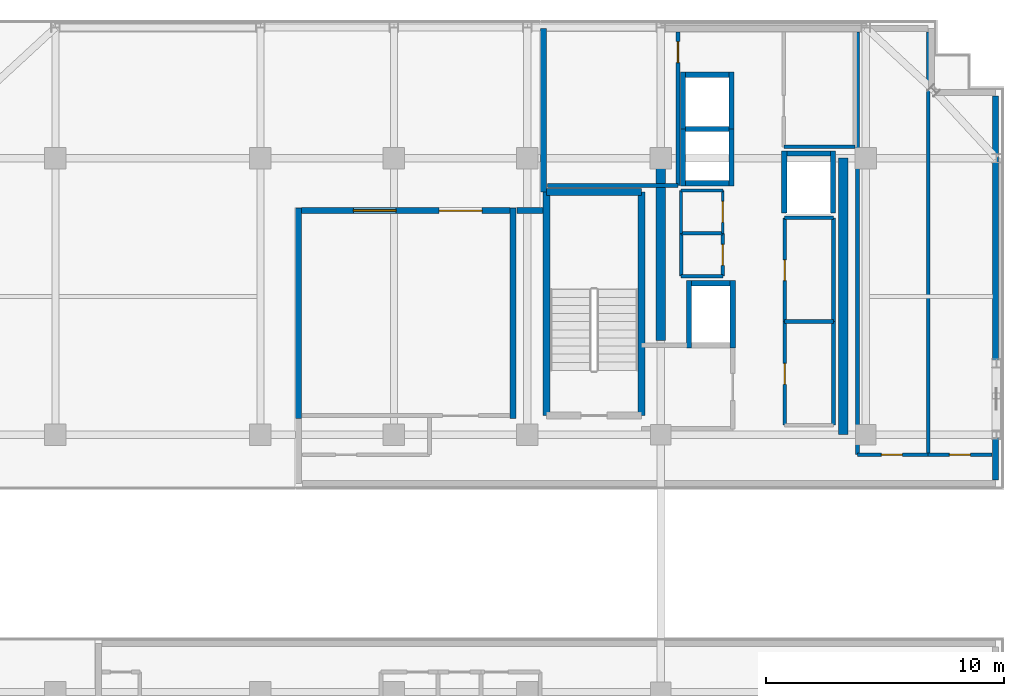
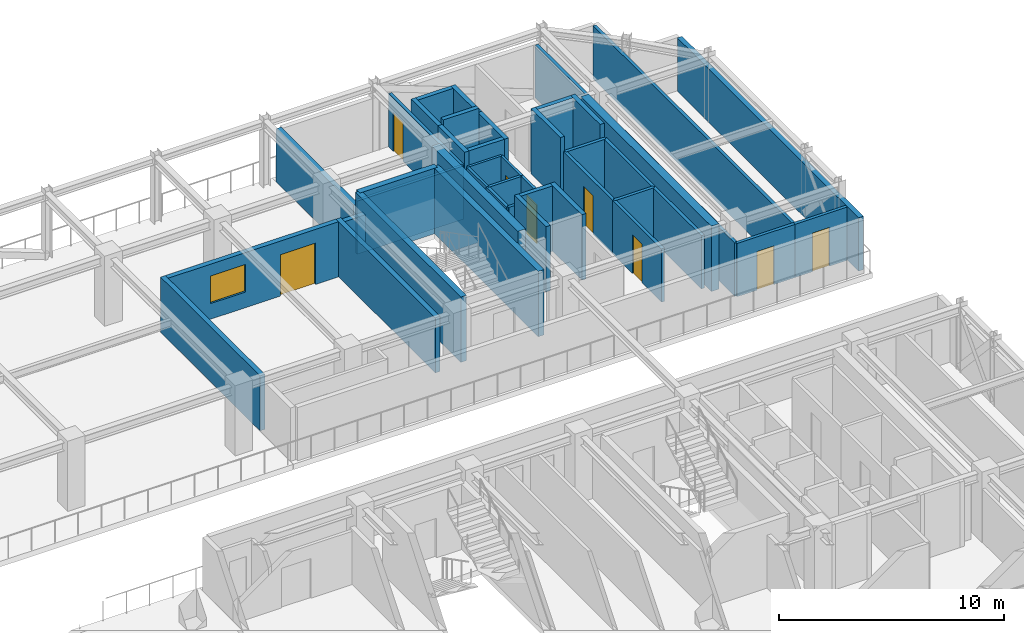
# One storey, part 7 of 14: 44 walls, 8 doors, 1 window, 9 openings.
"""IFC4 building model written with IfcOpenShell, lengths in metres."""

from ifc_helpers import new_model, si_unit, direction, frame, frame_2d, origin, place, context, subcontext, project, spatial, rectangle, extrude, source, transform, mapped, material, layer, layer_set, type_object, element, fill, save


model = new_model("IFC4")

# Units and contexts
model_context = context("Model", 3, precision=1e-05, world=origin(), true_north=direction((0.0, 1.0)))
body_context = subcontext(model_context, "Body", "Model", "MODEL_VIEW")
ifc_project = project(units=[si_unit("LENGTHUNIT", "METRE"), si_unit("AREAUNIT", "SQUARE_METRE"), si_unit("VOLUMEUNIT", "CUBIC_METRE"), si_unit("PLANEANGLEUNIT", "RADIAN"), si_unit("MASSUNIT", "GRAM", prefix="KILO")], contexts=[model_context])

# Site, building, storey
site_placement = place(None, origin())
site = spatial("IfcSite", under=ifc_project, at=site_placement, CompositionType="ELEMENT")
building_placement = place(site_placement, origin())
building = spatial("IfcBuilding", under=site, at=building_placement, Name="Nahalor Promenade Grand Hotel", CompositionType="ELEMENT")
storey_placement = place(building_placement, frame((0.0, 0.0, 300.35009765625)))
storey = spatial("IfcBuildingStorey", under=building, at=storey_placement, Name="L77", CompositionType="ELEMENT", Elevation=300.35009765625)

# Walls
ifc_material_1 = material(Name="Concrete B-50 (C40/50)", Category="concrete")
ifc_layer_1 = layer(ifc_material_1, 0.39990234375)
ifc_layer_set_1 = layer_set([ifc_layer_1], Name="Concrete B-50 (C40/50)")
wall_type_1 = type_object("IfcWallType", Name="Wall-CoreShear-400", PredefinedType="SHEAR", material=ifc_layer_set_1)
shared_shape_1 = source(origin(), body_context, "Body", "SweptSolid", [
    extrude(rectangle(XDim=7.64990234375, YDim=0.39990234375, at=frame_2d((3.824951171875, 0.0))), origin(), (0.0, 0.0, 1.0), 3.5498046875),
])
wall_1_placement = place(storey_placement, frame((8.39990234375, 9.35009765625, 0.0), z_axis=(0.0, 0.0, 1.0), x_axis=(0.0, 1.0, 0.0)))
element("IfcWall", 1, at=wall_1_placement, inside=storey, type_object=wall_type_1, Name="CWALL-L77-NW", PredefinedType="SHEAR", context=body_context, shape_type="MappedRepresentation", body=[
    mapped(shared_shape_1, transform((0.0, 0.0, 0.0), scale=1.0)),
])
shared_shape_2 = source(origin(), body_context, "Body", "SweptSolid", [
    extrude(rectangle(XDim=11.60009765625, YDim=0.39990234375, at=frame_2d((5.800048828125, 0.0))), origin(), (0.0, 0.0, 1.0), 3.5498046875),
])
wall_2_placement = place(storey_placement, frame((16.050048828125, 5.39990234375, 0.0), z_axis=(0.0, 0.0, 1.0), x_axis=(0.0, 1.0, 0.0)))
element("IfcWall", 2, at=wall_2_placement, inside=storey, type_object=wall_type_1, Name="CWALL-L77-NE", PredefinedType="SHEAR", context=body_context, shape_type="MappedRepresentation", body=[
    mapped(shared_shape_2, transform((0.0, 0.0, 0.0), scale=1.0)),
])
ifc_layer_2 = layer(ifc_material_1, 0.300048828125)
ifc_layer_set_2 = layer_set([ifc_layer_2], Name="Concrete B-50 (C40/50)")
wall_type_2 = type_object("IfcWallType", Name="Wall-ShaftShear-300", PredefinedType="SHEAR", material=ifc_layer_set_2)
shared_shape_3 = source(origin(), body_context, "Body", "SweptSolid", [
    extrude(rectangle(XDim=3.97998046875, YDim=0.300048828125, at=frame_2d((1.989990234375, 0.0))), origin(), (0.0, 0.0, 1.0), 3.5498046875),
])
wall_3_placement = place(storey_placement, frame((3.610107421875, 15.590087890625, 0.0), z_axis=(0.0, 0.0, 1.0), x_axis=(1.0, 0.0, 0.0)))
element("IfcWall", 3, at=wall_3_placement, inside=storey, type_object=wall_type_2, Name="L77 Exit Stair ST1 Shaft Wall N", PredefinedType="SHEAR", context=body_context, shape_type="MappedRepresentation", body=[
    mapped(shared_shape_3, transform((0.0, 0.0, 0.0), scale=1.0)),
])
shared_shape_4 = source(origin(), body_context, "Body", "SweptSolid", [
    extrude(rectangle(XDim=9.380126953125, YDim=0.300048828125, at=frame_2d((4.68994140625, 0.0))), origin(), (0.0, 0.0, 1.0), 3.5498046875),
])
for number, where, z_axis, x_axis, name in (
    (4, (3.610107421875, 6.2099609375, 0.0), (0.0, 0.0, 1.0), (0.0, 1.0, 0.0), "L77 Exit Stair ST1 Shaft Wall W"),
    (5, (7.590087890625, 6.2099609375, 0.0), (0.0, 0.0, 1.0), (0.0, 1.0, 0.0), "L77 Exit Stair ST1 Shaft Wall E"),
):
    element("IfcWall", number, at=place(storey_placement, frame(where, z_axis=z_axis, x_axis=x_axis)), inside=storey, type_object=wall_type_2, Name=name, PredefinedType="SHEAR", context=body_context, shape_type="MappedRepresentation", body=[
        mapped(shared_shape_4, transform((0.0, 0.0, 0.0), scale=1.0)),
    ])
ifc_layer_3 = layer(ifc_material_1, 0.219970703125)
ifc_layer_set_3 = layer_set([ifc_layer_3], Name="Concrete B-50 (C40/50)")
wall_type_3 = type_object("IfcWallType", Name="Wall-LiftShaft-220", PredefinedType="SHEAR", material=ifc_layer_set_3)
shared_shape_5 = source(origin(), body_context, "Body", "SweptSolid", [
    extrude(rectangle(XDim=1.820068359375, YDim=0.219970703125, at=frame_2d((0.91015625, 0.0))), origin(), (0.0, 0.0, 1.0), 3.5498046875),
])
for number, where, z_axis, x_axis, name in (
    (6, (9.43994140625, 15.949951171875, 0.0), (0.0, 0.0, 1.0), (1.0, 0.0, 0.0), "L77 Lift OB1 Hoistway Wall S"),
    (7, (9.43994140625, 20.5, 0.0), (0.0, 0.0, 1.0), (1.0, 0.0, 0.0), "L77 Lift OB2 Hoistway Wall N"),
    (8, (13.68994140625, 17.199951171875, 0.0), (0.0, 0.0, 1.0), (1.0, 0.0, 0.0), "L77 Lift SV1 Hoistway Wall N"),
):
    element("IfcWall", number, at=place(storey_placement, frame(where, z_axis=z_axis, x_axis=x_axis)), inside=storey, type_object=wall_type_3, Name=name, PredefinedType="SHEAR", context=body_context, shape_type="MappedRepresentation", body=[
        mapped(shared_shape_5, transform((0.0, 0.0, 0.0), scale=1.0)),
    ])
shared_shape_6 = source(origin(), body_context, "Body", "SweptSolid", [
    extrude(rectangle(XDim=1.820068359375, YDim=0.219970703125, at=frame_2d((0.91015625, 0.0))), origin(), (0.0, 0.0, 1.0), 3.849853515625),
])
wall_4_placement = place(storey_placement, frame((9.43994140625, 18.22509765625, 0.0), z_axis=(0.0, 0.0, 1.0), x_axis=(1.0, 0.0, 0.0)))
element("IfcWall", 9, at=wall_4_placement, inside=storey, type_object=wall_type_3, Name="L77 Lift OB1 Hoistway Wall N", PredefinedType="SHEAR", context=body_context, shape_type="MappedRepresentation", body=[
    mapped(shared_shape_6, transform((0.0, 0.0, 0.0), scale=1.0)),
])
shared_shape_7 = source(origin(), body_context, "Body", "SweptSolid", [
    extrude(rectangle(XDim=2.385009765625, YDim=0.219970703125, at=frame_2d((1.1923828125, 0.0))), origin(), (0.0, 0.0, 1.0), 3.5498046875),
])
for number, where, z_axis, x_axis, name in (
    (10, (9.330078125, 15.840087890625, 0.0), (0.0, 0.0, 1.0), (0.0, 1.0, 0.0), "L77 Lift OB1 Hoistway Wall W"),
    (11, (11.3701171875, 15.840087890625, 0.0), (0.0, 0.0, 1.0), (0.0, 1.0, 0.0), "L77 Lift OB1 Hoistway Wall E"),
    (12, (9.330078125, 18.22509765625, 0.0), (0.0, 0.0, 1.0), (0.0, 1.0, 0.0), "L77 Lift OB2 Hoistway Wall W"),
    (13, (11.3701171875, 18.22509765625, 0.0), (0.0, 0.0, 1.0), (0.0, 1.0, 0.0), "L77 Lift OB2 Hoistway Wall E"),
):
    element("IfcWall", number, at=place(storey_placement, frame(where, z_axis=z_axis, x_axis=x_axis)), inside=storey, type_object=wall_type_3, Name=name, PredefinedType="SHEAR", context=body_context, shape_type="MappedRepresentation", body=[
        mapped(shared_shape_7, transform((0.0, 0.0, 0.0), scale=1.0)),
    ])
shared_shape_8 = source(origin(), body_context, "Body", "SweptSolid", [
    extrude(rectangle(XDim=2.820068359375, YDim=0.219970703125, at=frame_2d((1.41015625, 0.0))), origin(), (0.0, 0.0, 1.0), 3.5498046875),
])
for number, where, z_axis, x_axis, name in (
    (14, (9.580078125, 9.0400390625, 0.0), (0.0, 0.0, 1.0), (0.0, 1.0, 0.0), "L77 Lift FL1 Hoistway Wall W"),
    (15, (11.419921875, 9.0400390625, 0.0), (0.0, 0.0, 1.0), (0.0, 1.0, 0.0), "L77 Lift FL1 Hoistway Wall E"),
):
    element("IfcWall", number, at=place(storey_placement, frame(where, z_axis=z_axis, x_axis=x_axis)), inside=storey, type_object=wall_type_3, Name=name, PredefinedType="SHEAR", context=body_context, shape_type="MappedRepresentation", body=[
        mapped(shared_shape_8, transform((0.0, 0.0, 0.0), scale=1.0)),
    ])
shared_shape_9 = source(origin(), body_context, "Body", "SweptSolid", [
    extrude(rectangle(XDim=1.6201171875, YDim=0.219970703125, at=frame_2d((0.81005859375, 0.0))), origin(), (0.0, 0.0, 1.0), 3.5498046875),
])
wall_5_placement = place(storey_placement, frame((9.68994140625, 11.75, 0.0), z_axis=(0.0, 0.0, 1.0), x_axis=(1.0, 0.0, 0.0)))
element("IfcWall", 16, at=wall_5_placement, inside=storey, type_object=wall_type_3, Name="L77 Lift FL1 Hoistway Wall N", PredefinedType="SHEAR", context=body_context, shape_type="MappedRepresentation", body=[
    mapped(shared_shape_9, transform((0.0, 0.0, 0.0), scale=1.0)),
])
shared_shape_10 = source(origin(), body_context, "Body", "SweptSolid", [
    extrude(rectangle(XDim=2.610107421875, YDim=0.219970703125, at=frame_2d((1.30517578125, 0.0))), origin(), (0.0, 0.0, 1.0), 3.5498046875),
])
for number, where, z_axis, x_axis, name in (
    (17, (13.580078125, 14.699951171875, 0.0), (0.0, 0.0, 1.0), (0.0, 1.0, 0.0), "L77 Lift SV1 Hoistway Wall W"),
    (18, (15.6201171875, 14.699951171875, 0.0), (0.0, 0.0, 1.0), (0.0, 1.0, 0.0), "L77 Lift SV1 Hoistway Wall E"),
):
    element("IfcWall", number, at=place(storey_placement, frame(where, z_axis=z_axis, x_axis=x_axis)), inside=storey, type_object=wall_type_3, Name=name, PredefinedType="SHEAR", context=body_context, shape_type="MappedRepresentation", body=[
        mapped(shared_shape_10, transform((0.0, 0.0, 0.0), scale=1.0)),
    ])
ifc_material_2 = material(Name="Concrete B-40 (C32/40)", Category="concrete")
ifc_layer_4 = layer(ifc_material_2, 0.25)
ifc_layer_set_4 = layer_set([ifc_layer_4], Name="Concrete B-40 (C32/40)")
wall_type_4 = type_object("IfcWallType", Name="Wall-BronzePier-250", PredefinedType="STANDARD", material=ifc_layer_set_4)
shared_shape_11 = source(origin(), body_context, "Body", "SweptSolid", [
    extrude(rectangle(XDim=8.83984375, YDim=0.25, at=frame_2d((4.419921875, 0.0))), origin(), (0.0, 0.0, 1.0), 2.989990234375),
])
for number, where, z_axis, x_axis, name in (
    (19, (-6.800048828125, 6.080078125, 0.0), (0.0, 0.0, 1.0), (0.0, 1.0, 0.0), "W-L77-WPGAL-N-W"),
    (20, (2.199951171875, 6.080078125, 0.0), (0.0, 0.0, 1.0), (0.0, 1.0, 0.0), "W-L77-WPGAL-N-E"),
):
    element("IfcWall", number, at=place(storey_placement, frame(where, z_axis=z_axis, x_axis=x_axis)), inside=storey, type_object=wall_type_4, Name=name, PredefinedType="STANDARD", context=body_context, shape_type="MappedRepresentation", body=[
        mapped(shared_shape_11, transform((0.0, 0.0, 0.0), scale=1.0)),
    ])

# Wall, openings, door, window
shared_shape_12 = source(origin(), body_context, "Body", "SweptSolid", [
    extrude(rectangle(XDim=8.760009765625, YDim=0.25, at=frame_2d((4.3798828125, 0.0))), origin(), (0.0, 0.0, 1.0), 2.989990234375),
])
wall_6_placement = place(storey_placement, frame((-6.679931640625, 14.800048828125, 0.0), z_axis=(0.0, 0.0, 1.0), x_axis=(1.0, 0.0, 0.0)))
wall_6 = element("IfcWall", 21, at=wall_6_placement, inside=storey, type_object=wall_type_4, Name="W-L77-WPGAL-N-N", PredefinedType="STANDARD", context=body_context, shape_type="MappedRepresentation", body=[
    mapped(shared_shape_12, transform((0.0, 0.0, 0.0), scale=1.0)),
])
opening_1_placement = place(wall_6_placement, frame((5.780029296875, 0.0, 0.0)))
opening_1 = element("IfcOpeningElement", 22, at=opening_1_placement, cuts=wall_6, Name="Opening D-BC1", PredefinedType="OPENING", context=body_context, shape_type="SweptSolid", body=[
    extrude(rectangle(XDim=1.800048828125, YDim=2.25, at=frame_2d((0.89990234375, 1.125))), frame((0.0, 0.135009765625, 0.0), z_axis=(0.0, -1.0, 0.0), x_axis=(1.0, 0.0, 0.0)), (0.0, 0.0, 1.0), 0.27001953125),
])
opening_2_placement = place(wall_6_placement, frame((2.179931640625, 0.0, 0.85009765625)))
opening_2 = element("IfcOpeningElement", 23, at=opening_2_placement, cuts=wall_6, Name="Opening WN-01", PredefinedType="OPENING", context=body_context, shape_type="SweptSolid", body=[
    extrude(rectangle(XDim=1.800048828125, YDim=1.5, at=frame_2d((0.89990234375, 0.75))), frame((0.0, 0.135009765625, 0.0), z_axis=(0.0, -1.0, 0.0), x_axis=(1.0, 0.0, 0.0)), (0.0, 0.0, 1.0), 0.27001953125),
])
ifc_material_3 = material(Name="Anodised Bronze Aluminium EN AW-6063 T6", Category="aluminium")
door_type_1 = type_object("IfcDoorType", Name="Door-BalconySlide-1800", OperationType="DOUBLE_DOOR_SLIDING", PredefinedType="DOOR", material=ifc_material_3)
shared_shape_13 = source(origin(), body_context, "Body", "SweptSolid", [
    extrude(rectangle(XDim=1.800048828125, YDim=2.25, at=frame_2d((0.89990234375, 1.125))), frame((0.0, 0.02490234375, 0.0), z_axis=(0.0, -1.0, 0.0), x_axis=(1.0, 0.0, 0.0)), (0.0, 0.0, 1.0), 0.050048828125),
])
door_1_placement = place(opening_1_placement, origin())
door_1 = element("IfcDoor", 24, at=door_1_placement, inside=storey, type_object=door_type_1, Name="DR-L77-WP-N", OperationType="DOUBLE_DOOR_SLIDING", OverallHeight=2.25, OverallWidth=1.800048828125, PredefinedType="DOOR", context=body_context, shape_type="MappedRepresentation", body=[
    mapped(shared_shape_13, transform((0.0, 0.0, 0.0), scale=1.0)),
])
fill(opening_1, door_1)
ifc_material_4 = material(Name="Low-E Laminated Solar Glass", Category="glass")
window_type = type_object("IfcWindowType", Name="Win-ChicagoBay-1800x1500", PartitioningType="SINGLE_PANEL", PredefinedType="WINDOW", material=ifc_material_4)
shared_shape_14 = source(origin(), body_context, "Body", "SweptSolid", [
    extrude(rectangle(XDim=1.800048828125, YDim=1.5, at=frame_2d((0.89990234375, 0.75))), frame((0.0, 0.030029296875, 0.0), z_axis=(0.0, -1.0, 0.0), x_axis=(1.0, 0.0, 0.0)), (0.0, 0.0, 1.0), 0.06005859375),
])
window_placement = place(opening_2_placement, origin())
window = element("IfcWindow", 25, at=window_placement, inside=storey, type_object=window_type, Name="WN-L77-WP-N", OverallHeight=1.5, OverallWidth=1.800048828125, PartitioningType="SINGLE_PANEL", PredefinedType="WINDOW", context=body_context, shape_type="MappedRepresentation", body=[
    mapped(shared_shape_14, transform((0.0, 0.0, 0.0), scale=1.0)),
])
fill(opening_2, window)

# Walls
ifc_material_5 = material(Name="Acoustic Mineral Gypsum", Category="gypsum")
ifc_layer_5 = layer(ifc_material_5, 0.14990234375)
ifc_layer_set_5 = layer_set([ifc_layer_5], Name="Acoustic Mineral Gypsum")
wall_type_5 = type_object("IfcWallType", Name="Wall-PartService-150", PredefinedType="PARTITIONING", material=ifc_layer_set_5)
shared_shape_15 = source(origin(), body_context, "Body", "SweptSolid", [
    extrude(rectangle(XDim=1.75, YDim=0.14990234375, at=frame_2d((0.875, 0.0))), origin(), (0.0, 0.0, 1.0), 2.889892578125),
])
for number, where, z_axis, x_axis, name in (
    (26, (9.25, 12.050048828125, 0.0), (0.0, 0.0, 1.0), (1.0, 0.0, 0.0), "W-L77-CK2A-S"),
    (27, (9.25, 13.85009765625, 0.0), (0.0, 0.0, 1.0), (1.0, 0.0, 0.0), "W-L77-CK2A-N"),
):
    element("IfcWall", number, at=place(storey_placement, frame(where, z_axis=z_axis, x_axis=x_axis)), inside=storey, type_object=wall_type_5, Name=name, PredefinedType="PARTITIONING", context=body_context, shape_type="MappedRepresentation", body=[
        mapped(shared_shape_15, transform((0.0, 0.0, 0.0), scale=1.0)),
    ])
shared_shape_16 = source(origin(), body_context, "Body", "SweptSolid", [
    extrude(rectangle(XDim=1.800048828125, YDim=0.14990234375, at=frame_2d((0.89990234375, 0.0))), origin(), (0.0, 0.0, 1.0), 2.889892578125),
])
wall_7_placement = place(storey_placement, frame((9.25, 12.050048828125, 0.0), z_axis=(0.0, 0.0, 1.0), x_axis=(0.0, 1.0, 0.0)))
element("IfcWall", 28, at=wall_7_placement, inside=storey, type_object=wall_type_5, Name="W-L77-CK2A-W", PredefinedType="PARTITIONING", context=body_context, shape_type="MappedRepresentation", body=[
    mapped(shared_shape_16, transform((0.0, 0.0, 0.0), scale=1.0)),
])

# Wall, opening, door
wall_8_placement = place(storey_placement, frame((11.0, 12.050048828125, 0.0), z_axis=(0.0, 0.0, 1.0), x_axis=(0.0, 1.0, 0.0)))
wall_8 = element("IfcWall", 29, at=wall_8_placement, inside=storey, type_object=wall_type_5, Name="W-L77-CK2A-E", PredefinedType="PARTITIONING", context=body_context, shape_type="MappedRepresentation", body=[
    mapped(shared_shape_16, transform((0.0, 0.0, 0.0), scale=1.0)),
])
opening_3_placement = place(wall_8_placement, frame((0.4599609375, 0.0, 0.0)))
opening_3 = element("IfcOpeningElement", 30, at=opening_3_placement, cuts=wall_8, Name="Opening D-03", PredefinedType="OPENING", context=body_context, shape_type="SweptSolid", body=[
    extrude(rectangle(XDim=0.8798828125, YDim=2.10009765625, at=frame_2d((0.43994140625, 1.050048828125))), frame((0.0, 0.0849609375, 0.0), z_axis=(0.0, -1.0, 0.0), x_axis=(1.0, 0.0, 0.0)), (0.0, 0.0, 1.0), 0.169921875),
])
ifc_material_6 = material(Name="Fire-Rated Timber Composite", Category="wood")
door_type_2 = type_object("IfcDoorType", Name="Door-BathSwing-880", OperationType="NOTDEFINED", PredefinedType="DOOR", material=ifc_material_6)
shared_shape_17 = source(origin(), body_context, "Body", "SweptSolid", [
    extrude(rectangle(XDim=0.8798828125, YDim=2.10009765625, at=frame_2d((0.43994140625, 1.050048828125))), frame((0.0, 0.02490234375, 0.0), z_axis=(0.0, -1.0, 0.0), x_axis=(1.0, 0.0, 0.0)), (0.0, 0.0, 1.0), 0.050048828125),
])
door_2_placement = place(opening_3_placement, origin())
door_2 = element("IfcDoor", 31, at=door_2_placement, inside=storey, type_object=door_type_2, Name="DR-L77-CK2A", OperationType="SINGLE_SWING_RIGHT", OverallHeight=2.10009765625, OverallWidth=0.8798828125, PredefinedType="DOOR", context=body_context, shape_type="MappedRepresentation", body=[
    mapped(shared_shape_17, transform((0.0, 0.0, 0.0), scale=1.0)),
])
fill(opening_3, door_2)

# Walls
ifc_layer_6 = layer(ifc_material_5, 0.1201171875)
ifc_layer_set_6 = layer_set([ifc_layer_6], Name="Acoustic Mineral Gypsum")
wall_type_6 = type_object("IfcWallType", Name="Wall-PartBath-120", PredefinedType="PARTITIONING", material=ifc_layer_set_6)
shared_shape_18 = source(origin(), body_context, "Body", "SweptSolid", [
    extrude(rectangle(XDim=1.75, YDim=0.1201171875, at=frame_2d((0.875, 0.0))), origin(), (0.0, 0.0, 1.0), 2.889892578125),
])
wall_9_placement = place(storey_placement, frame((9.25, 15.64990234375, 0.0), z_axis=(0.0, 0.0, 1.0), x_axis=(1.0, 0.0, 0.0)))
element("IfcWall", 32, at=wall_9_placement, inside=storey, type_object=wall_type_6, Name="W-L77-CK2B-N", PredefinedType="PARTITIONING", context=body_context, shape_type="MappedRepresentation", body=[
    mapped(shared_shape_18, transform((0.0, 0.0, 0.0), scale=1.0)),
])
shared_shape_19 = source(origin(), body_context, "Body", "SweptSolid", [
    extrude(rectangle(XDim=1.7998046875, YDim=0.1201171875, at=frame_2d((0.89990234375, 0.0))), origin(), (0.0, 0.0, 1.0), 2.889892578125),
])
wall_10_placement = place(storey_placement, frame((9.25, 13.85009765625, 0.0), z_axis=(0.0, 0.0, 1.0), x_axis=(0.0, 1.0, 0.0)))
element("IfcWall", 33, at=wall_10_placement, inside=storey, type_object=wall_type_6, Name="W-L77-CK2B-W", PredefinedType="PARTITIONING", context=body_context, shape_type="MappedRepresentation", body=[
    mapped(shared_shape_19, transform((0.0, 0.0, 0.0), scale=1.0)),
])

# Wall, opening, door
wall_11_placement = place(storey_placement, frame((11.0, 13.85009765625, 0.0), z_axis=(0.0, 0.0, 1.0), x_axis=(0.0, 1.0, 0.0)))
wall_11 = element("IfcWall", 34, at=wall_11_placement, inside=storey, type_object=wall_type_6, Name="W-L77-CK2B-E", PredefinedType="PARTITIONING", context=body_context, shape_type="MappedRepresentation", body=[
    mapped(shared_shape_19, transform((0.0, 0.0, 0.0), scale=1.0)),
])
opening_4_placement = place(wall_11_placement, frame((0.4599609375, 0.0, 0.0)))
opening_4 = element("IfcOpeningElement", 35, at=opening_4_placement, cuts=wall_11, Name="Opening D-03", PredefinedType="OPENING", context=body_context, shape_type="SweptSolid", body=[
    extrude(rectangle(XDim=0.8798828125, YDim=2.10009765625, at=frame_2d((0.43994140625, 1.050048828125))), frame((0.0, 0.070068359375, 0.0), z_axis=(0.0, -1.0, 0.0), x_axis=(1.0, 0.0, 0.0)), (0.0, 0.0, 1.0), 0.14013671875),
])
door_3_placement = place(opening_4_placement, origin())
door_3 = element("IfcDoor", 36, at=door_3_placement, inside=storey, type_object=door_type_2, Name="DR-L77-CK2B", OperationType="SINGLE_SWING_LEFT", OverallHeight=2.10009765625, OverallWidth=0.8798828125, PredefinedType="DOOR", context=body_context, shape_type="MappedRepresentation", body=[
    mapped(shared_shape_17, transform((0.0, 0.0, 0.0), scale=1.0)),
])
fill(opening_4, door_3)

# Walls
ifc_layer_7 = layer(ifc_material_5, 0.159912109375)
ifc_layer_set_7 = layer_set([ifc_layer_7], Name="Acoustic Mineral Gypsum")
wall_type_7 = type_object("IfcWallType", Name="Wall-PartCorridor-160", PredefinedType="PARTITIONING", material=ifc_layer_set_7)
shared_shape_20 = source(origin(), body_context, "Body", "SweptSolid", [
    extrude(rectangle(XDim=2.0498046875, YDim=0.159912109375, at=frame_2d((1.02490234375, 0.0))), origin(), (0.0, 0.0, 1.0), 2.889892578125),
])
for number, where, z_axis, x_axis, name in (
    (37, (13.60009765625, 10.14990234375, 0.0), (0.0, 0.0, 1.0), (1.0, 0.0, 0.0), "W-L77-FRB1A-N"),
    (38, (13.60009765625, 14.5, 0.0), (0.0, 0.0, 1.0), (1.0, 0.0, 0.0), "W-L77-FRB1B-N"),
):
    element("IfcWall", number, at=place(storey_placement, frame(where, z_axis=z_axis, x_axis=x_axis)), inside=storey, type_object=wall_type_7, Name=name, PredefinedType="PARTITIONING", context=body_context, shape_type="MappedRepresentation", body=[
        mapped(shared_shape_20, transform((0.0, 0.0, 0.0), scale=1.0)),
    ])

# Wall, opening, door
shared_shape_21 = source(origin(), body_context, "Body", "SweptSolid", [
    extrude(rectangle(XDim=4.349853515625, YDim=0.159912109375, at=frame_2d((2.1748046875, 0.0))), origin(), (0.0, 0.0, 1.0), 2.889892578125),
])
wall_12_placement = place(storey_placement, frame((13.60009765625, 5.800048828125, 0.0), z_axis=(0.0, 0.0, 1.0), x_axis=(0.0, 1.0, 0.0)))
wall_12 = element("IfcWall", 39, at=wall_12_placement, inside=storey, type_object=wall_type_7, Name="W-L77-FRB1A-W", PredefinedType="PARTITIONING", context=body_context, shape_type="MappedRepresentation", body=[
    mapped(shared_shape_21, transform((0.0, 0.0, 0.0), scale=1.0)),
])
opening_5_placement = place(wall_12_placement, frame((1.7099609375, 0.0, 0.0)))
opening_5 = element("IfcOpeningElement", 40, at=opening_5_placement, cuts=wall_12, Name="Opening D-03", PredefinedType="OPENING", context=body_context, shape_type="SweptSolid", body=[
    extrude(rectangle(XDim=0.8798828125, YDim=2.10009765625, at=frame_2d((0.43994140625, 1.050048828125))), frame((0.0, 0.08984375, 0.0), z_axis=(0.0, -1.0, 0.0), x_axis=(1.0, 0.0, 0.0)), (0.0, 0.0, 1.0), 0.179931640625),
])
door_4_placement = place(opening_5_placement, frame((0.8798828125, 0.0, 0.0), z_axis=(0.0, 0.0, 1.0), x_axis=(-1.0, 0.0, 0.0)))
door_4 = element("IfcDoor", 41, at=door_4_placement, inside=storey, type_object=door_type_2, Name="DR-L77-FRB1A", OperationType="SINGLE_SWING_RIGHT", OverallHeight=2.10009765625, OverallWidth=0.8798828125, PredefinedType="DOOR", context=body_context, shape_type="MappedRepresentation", body=[
    mapped(shared_shape_17, transform((0.0, 0.0, 0.0), scale=1.0)),
])
fill(opening_5, door_4)

# Wall
wall_13_placement = place(storey_placement, frame((15.64990234375, 5.800048828125, 0.0), z_axis=(0.0, 0.0, 1.0), x_axis=(0.0, 1.0, 0.0)))
element("IfcWall", 42, at=wall_13_placement, inside=storey, type_object=wall_type_7, Name="W-L77-FRB1A-E", PredefinedType="PARTITIONING", context=body_context, shape_type="MappedRepresentation", body=[
    mapped(shared_shape_21, transform((0.0, 0.0, 0.0), scale=1.0)),
])

# Wall, opening, door
shared_shape_22 = source(origin(), body_context, "Body", "SweptSolid", [
    extrude(rectangle(XDim=4.35009765625, YDim=0.159912109375, at=frame_2d((2.175048828125, 0.0))), origin(), (0.0, 0.0, 1.0), 2.889892578125),
])
wall_14_placement = place(storey_placement, frame((13.60009765625, 10.14990234375, 0.0), z_axis=(0.0, 0.0, 1.0), x_axis=(0.0, 1.0, 0.0)))
wall_14 = element("IfcWall", 43, at=wall_14_placement, inside=storey, type_object=wall_type_7, Name="W-L77-FRB1B-W", PredefinedType="PARTITIONING", context=body_context, shape_type="MappedRepresentation", body=[
    mapped(shared_shape_22, transform((0.0, 0.0, 0.0), scale=1.0)),
])
opening_6_placement = place(wall_14_placement, frame((1.7099609375, 0.0, 0.0)))
opening_6 = element("IfcOpeningElement", 44, at=opening_6_placement, cuts=wall_14, Name="Opening D-03", PredefinedType="OPENING", context=body_context, shape_type="SweptSolid", body=[
    extrude(rectangle(XDim=0.8798828125, YDim=2.10009765625, at=frame_2d((0.43994140625, 1.050048828125))), frame((0.0, 0.08984375, 0.0), z_axis=(0.0, -1.0, 0.0), x_axis=(1.0, 0.0, 0.0)), (0.0, 0.0, 1.0), 0.179931640625),
])
door_5_placement = place(opening_6_placement, frame((0.8798828125, 0.0, 0.0), z_axis=(0.0, 0.0, 1.0), x_axis=(-1.0, 0.0, 0.0)))
door_5 = element("IfcDoor", 45, at=door_5_placement, inside=storey, type_object=door_type_2, Name="DR-L77-FRB1B", OperationType="SINGLE_SWING_LEFT", OverallHeight=2.10009765625, OverallWidth=0.8798828125, PredefinedType="DOOR", context=body_context, shape_type="MappedRepresentation", body=[
    mapped(shared_shape_17, transform((0.0, 0.0, 0.0), scale=1.0)),
])
fill(opening_6, door_5)

# Walls
wall_15_placement = place(storey_placement, frame((15.64990234375, 10.14990234375, 0.0), z_axis=(0.0, 0.0, 1.0), x_axis=(0.0, 1.0, 0.0)))
element("IfcWall", 46, at=wall_15_placement, inside=storey, type_object=wall_type_7, Name="W-L77-FRB1B-E", PredefinedType="PARTITIONING", context=body_context, shape_type="MappedRepresentation", body=[
    mapped(shared_shape_22, transform((0.0, 0.0, 0.0), scale=1.0)),
])
shared_shape_23 = source(origin(), body_context, "Body", "SweptSolid", [
    extrude(rectangle(XDim=1.08984375, YDim=0.25, at=frame_2d((0.544921875, 0.0))), origin(), (0.0, 0.0, 1.0), 2.889892578125),
])
wall_16_placement = place(storey_placement, frame((2.360107421875, 14.800048828125, 0.0), z_axis=(0.0, 0.0, 1.0), x_axis=(1.0, 0.0, 0.0)))
element("IfcWall", 47, at=wall_16_placement, inside=storey, type_object=wall_type_4, Name="W-L77-WPENV-NM1", PredefinedType="STANDARD", context=body_context, shape_type="MappedRepresentation", body=[
    mapped(shared_shape_23, transform((0.0, 0.0, 0.0), scale=1.0)),
])
shared_shape_24 = source(origin(), body_context, "Body", "SweptSolid", [
    extrude(rectangle(XDim=6.85986328125, YDim=0.25, at=frame_2d((3.429931640625, 0.0))), origin(), (0.0, 0.0, 1.0), 2.889892578125),
])
wall_17_placement = place(storey_placement, frame((3.47998046875, 15.580078125, 0.0), z_axis=(0.0, 0.0, 1.0), x_axis=(0.0, 1.0, 0.0)))
element("IfcWall", 48, at=wall_17_placement, inside=storey, type_object=wall_type_4, Name="W-L77-WPENV-NM2", PredefinedType="STANDARD", context=body_context, shape_type="MappedRepresentation", body=[
    mapped(shared_shape_24, transform((0.0, 0.0, 0.0), scale=1.0)),
])
shared_shape_25 = source(origin(), body_context, "Body", "SweptSolid", [
    extrude(rectangle(XDim=16.1201171875, YDim=0.25, at=frame_2d((8.06005859375, 0.0))), origin(), (0.0, 0.0, 1.0), 2.889892578125),
])
wall_18_placement = place(storey_placement, frame((22.43994140625, 3.5, 0.0), z_axis=(0.0, 0.0, 1.0), x_axis=(0.0, 1.0, 0.0)))
element("IfcWall", 49, at=wall_18_placement, inside=storey, type_object=wall_type_4, Name="W-L77-WPENV-NE", PredefinedType="STANDARD", context=body_context, shape_type="MappedRepresentation", body=[
    mapped(shared_shape_25, transform((0.0, 0.0, 0.0), scale=1.0)),
])
shared_shape_26 = source(origin(), body_context, "Body", "SweptSolid", [
    extrude(rectangle(XDim=5.47021484375, YDim=0.159912109375, at=frame_2d((2.735107421875, 0.0))), origin(), (0.0, 0.0, 1.0), 2.889892578125),
])
wall_19_placement = place(storey_placement, frame((3.64990234375, 15.85009765625, 0.0), z_axis=(0.0, 0.0, 1.0), x_axis=(1.0, 0.0, 0.0)))
element("IfcWall", 50, at=wall_19_placement, inside=storey, type_object=wall_type_7, Name="W-L77-WPNT1-S", PredefinedType="PARTITIONING", context=body_context, shape_type="MappedRepresentation", body=[
    mapped(shared_shape_26, transform((0.0, 0.0, 0.0), scale=1.0)),
])

# Wall, opening, door
shared_shape_27 = source(origin(), body_context, "Body", "SweptSolid", [
    extrude(rectangle(XDim=6.449951171875, YDim=0.159912109375, at=frame_2d((3.22509765625, 0.0))), origin(), (0.0, 0.0, 1.0), 2.889892578125),
])
wall_20_placement = place(storey_placement, frame((9.1201171875, 15.85009765625, 0.0), z_axis=(0.0, 0.0, 1.0), x_axis=(0.0, 1.0, 0.0)))
wall_20 = element("IfcWall", 51, at=wall_20_placement, inside=storey, type_object=wall_type_7, Name="W-L77-WPNT1-E", PredefinedType="PARTITIONING", context=body_context, shape_type="MappedRepresentation", body=[
    mapped(shared_shape_27, transform((0.0, 0.0, 0.0), scale=1.0)),
])
opening_7_placement = place(wall_20_placement, frame((5.159912109375, 0.0, 0.0)))
opening_7 = element("IfcOpeningElement", 52, at=opening_7_placement, cuts=wall_20, Name="Opening D-03", PredefinedType="OPENING", context=body_context, shape_type="SweptSolid", body=[
    extrude(rectangle(XDim=0.8798828125, YDim=2.10009765625, at=frame_2d((0.43994140625, 1.050048828125))), frame((0.0, 0.08984375, 0.0), z_axis=(0.0, -1.0, 0.0), x_axis=(1.0, 0.0, 0.0)), (0.0, 0.0, 1.0), 0.179931640625),
])
door_6_placement = place(opening_7_placement, origin())
door_6 = element("IfcDoor", 53, at=door_6_placement, inside=storey, type_object=door_type_2, Name="DR-L77-WPNT1", OperationType="SINGLE_SWING_LEFT", OverallHeight=2.10009765625, OverallWidth=0.8798828125, PredefinedType="DOOR", context=body_context, shape_type="MappedRepresentation", body=[
    mapped(shared_shape_17, transform((0.0, 0.0, 0.0), scale=1.0)),
])
fill(opening_7, door_6)

# Wall
shared_shape_28 = source(origin(), body_context, "Body", "SweptSolid", [
    extrude(rectangle(XDim=2.989990234375, YDim=0.159912109375, at=frame_2d((1.4951171875, 0.0))), origin(), (0.0, 0.0, 1.0), 2.889892578125),
])
wall_21_placement = place(storey_placement, frame((13.56005859375, 17.47998046875, 0.0), z_axis=(0.0, 0.0, 1.0), x_axis=(1.0, 0.0, 0.0)))
element("IfcWall", 54, at=wall_21_placement, inside=storey, type_object=wall_type_7, Name="W-L77-WPNNE-S", PredefinedType="PARTITIONING", context=body_context, shape_type="MappedRepresentation", body=[
    mapped(shared_shape_28, transform((0.0, 0.0, 0.0), scale=1.0)),
])

# Wall, opening, door
shared_shape_29 = source(origin(), body_context, "Body", "SweptSolid", [
    extrude(rectangle(XDim=2.97021484375, YDim=0.159912109375, at=frame_2d((1.485107421875, 0.0))), origin(), (0.0, 0.0, 1.0), 2.889892578125),
])
wall_22_placement = place(storey_placement, frame((16.64990234375, 4.56005859375, 0.0), z_axis=(0.0, 0.0, 1.0), x_axis=(1.0, 0.0, 0.0)))
wall_22 = element("IfcWall", 55, at=wall_22_placement, inside=storey, type_object=wall_type_7, Name="W-L77-WPNE1-S", PredefinedType="PARTITIONING", context=body_context, shape_type="MappedRepresentation", body=[
    mapped(shared_shape_29, transform((0.0, 0.0, 0.0), scale=1.0)),
])
opening_8_placement = place(wall_22_placement, frame((1.010009765625, 0.0, 0.0)))
opening_8 = element("IfcOpeningElement", 56, at=opening_8_placement, cuts=wall_22, Name="Opening D-03", PredefinedType="OPENING", context=body_context, shape_type="SweptSolid", body=[
    extrude(rectangle(XDim=0.8798828125, YDim=2.10009765625, at=frame_2d((0.43994140625, 1.050048828125))), frame((0.0, 0.08984375, 0.0), z_axis=(0.0, -1.0, 0.0), x_axis=(1.0, 0.0, 0.0)), (0.0, 0.0, 1.0), 0.179931640625),
])
door_7_placement = place(opening_8_placement, origin())
door_7 = element("IfcDoor", 57, at=door_7_placement, inside=storey, type_object=door_type_2, Name="DR-L77-WPNE1", OperationType="SINGLE_SWING_LEFT", OverallHeight=2.10009765625, OverallWidth=0.8798828125, PredefinedType="DOOR", context=body_context, shape_type="MappedRepresentation", body=[
    mapped(shared_shape_17, transform((0.0, 0.0, 0.0), scale=1.0)),
])
fill(opening_8, door_7)

# Walls
shared_shape_30 = source(origin(), body_context, "Body", "SweptSolid", [
    extrude(rectangle(XDim=17.739990234375, YDim=0.159912109375, at=frame_2d((8.8701171875, 0.0))), origin(), (0.0, 0.0, 1.0), 2.889892578125),
])
for number, where, z_axis, x_axis, name in (
    (58, (16.64990234375, 4.56005859375, 0.0), (0.0, 0.0, 1.0), (0.0, 1.0, 0.0), "W-L77-WPNE1-W"),
    (59, (19.6201171875, 4.56005859375, 0.0), (0.0, 0.0, 1.0), (0.0, 1.0, 0.0), "W-L77-WPNE1-E"),
):
    element("IfcWall", number, at=place(storey_placement, frame(where, z_axis=z_axis, x_axis=x_axis)), inside=storey, type_object=wall_type_7, Name=name, PredefinedType="PARTITIONING", context=body_context, shape_type="MappedRepresentation", body=[
        mapped(shared_shape_30, transform((0.0, 0.0, 0.0), scale=1.0)),
    ])

# Wall, opening, door
shared_shape_31 = source(origin(), body_context, "Body", "SweptSolid", [
    extrude(rectangle(XDim=2.679931640625, YDim=0.159912109375, at=frame_2d((1.33984375, 0.0))), origin(), (0.0, 0.0, 1.0), 2.889892578125),
])
wall_23_placement = place(storey_placement, frame((19.6201171875, 4.56005859375, 0.0), z_axis=(0.0, 0.0, 1.0), x_axis=(1.0, 0.0, 0.0)))
wall_23 = element("IfcWall", 60, at=wall_23_placement, inside=storey, type_object=wall_type_7, Name="W-L77-WPNE2-S", PredefinedType="PARTITIONING", context=body_context, shape_type="MappedRepresentation", body=[
    mapped(shared_shape_31, transform((0.0, 0.0, 0.0), scale=1.0)),
])
opening_9_placement = place(wall_23_placement, frame((0.889892578125, 0.0, 0.0)))
opening_9 = element("IfcOpeningElement", 61, at=opening_9_placement, cuts=wall_23, Name="Opening D-03", PredefinedType="OPENING", context=body_context, shape_type="SweptSolid", body=[
    extrude(rectangle(XDim=0.8798828125, YDim=2.10009765625, at=frame_2d((0.43994140625, 1.050048828125))), frame((0.0, 0.08984375, 0.0), z_axis=(0.0, -1.0, 0.0), x_axis=(1.0, 0.0, 0.0)), (0.0, 0.0, 1.0), 0.179931640625),
])
door_8_placement = place(opening_9_placement, origin())
door_8 = element("IfcDoor", 62, at=door_8_placement, inside=storey, type_object=door_type_2, Name="DR-L77-WPNE2", OperationType="SINGLE_SWING_RIGHT", OverallHeight=2.10009765625, OverallWidth=0.8798828125, PredefinedType="DOOR", context=body_context, shape_type="MappedRepresentation", body=[
    mapped(shared_shape_17, transform((0.0, 0.0, 0.0), scale=1.0)),
])
fill(opening_9, door_8)

save(model, "model.ifc")
